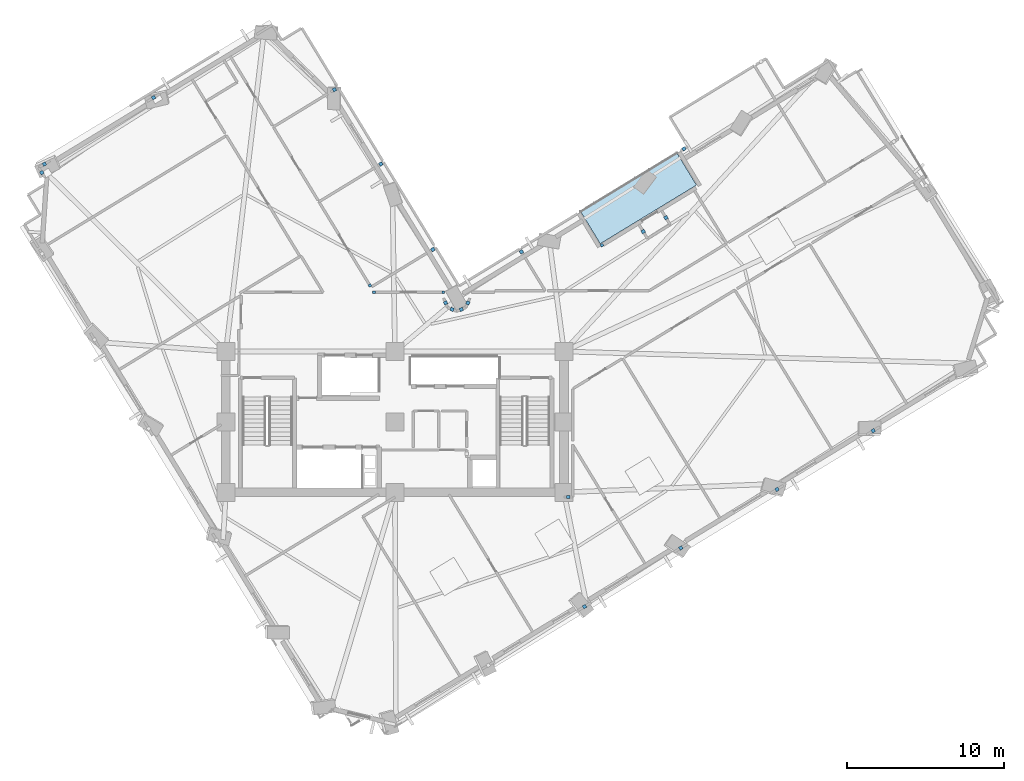
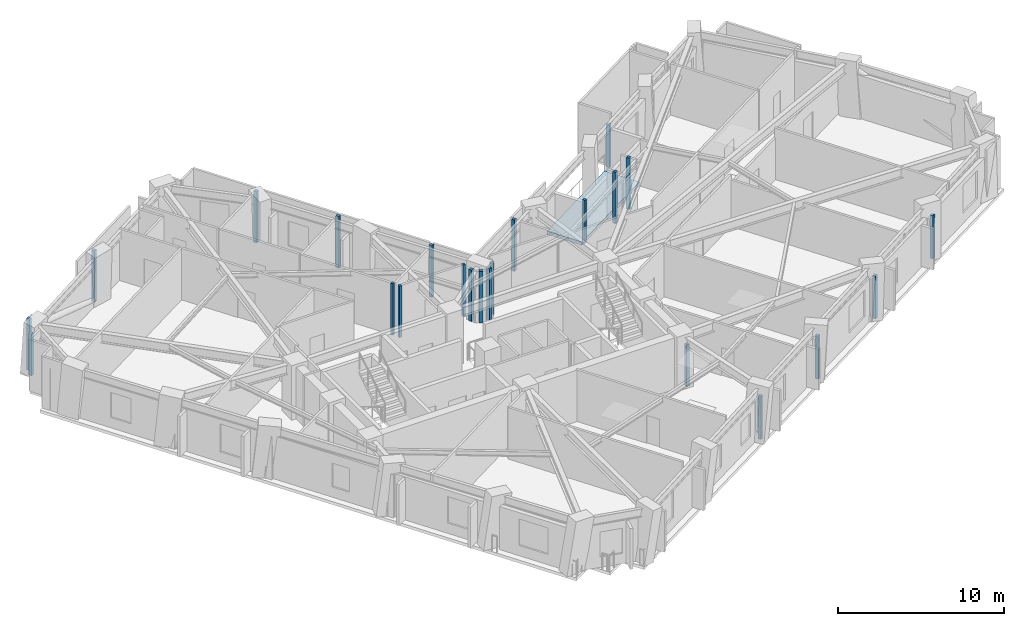
# One storey, part 3 of 14: 23 plates, 1 slab.
"""IFC4 building model written with IfcOpenShell, lengths in metres."""

from ifc_helpers import new_model, si_unit, direction, frame, origin, origin_2d, place, context, subcontext, project, spatial, polyline, rectangle, outline, extrude, material, layer, layer_set, type_object, element, save


model = new_model("IFC4")

# Units and contexts
model_context = context("Model", 3, precision=1e-05, world=origin(), true_north=direction((0.0, 1.0)))
body_context = subcontext(model_context, "Body", "Model", "MODEL_VIEW")
ifc_project = project(units=[si_unit("LENGTHUNIT", "METRE"), si_unit("AREAUNIT", "SQUARE_METRE"), si_unit("VOLUMEUNIT", "CUBIC_METRE"), si_unit("PLANEANGLEUNIT", "RADIAN"), si_unit("MASSUNIT", "GRAM", prefix="KILO")], contexts=[model_context])

# Site, building, storey
site_placement = place(None, origin())
site = spatial("IfcSite", under=ifc_project, at=site_placement, CompositionType="ELEMENT")
building_placement = place(site_placement, origin())
building = spatial("IfcBuilding", under=site, at=building_placement, Name="Gaonmaruhae Medical Tower", CompositionType="ELEMENT")
storey_placement = place(building_placement, frame((0.0, 0.0, 157.800048828125)))
storey = spatial("IfcBuildingStorey", under=building, at=storey_placement, Name="L37", CompositionType="ELEMENT", Elevation=157.800048828125)

# Plates
ifc_material_1 = material(Name="Anodised aluminium 6063-T6", Category="aluminium")
ifc_layer_1 = layer(ifc_material_1, 0.011962890625)
ifc_layer_set_1 = layer_set([ifc_layer_1], Name="Anodised aluminium 6063-T6")
plate_type = type_object("IfcPlateType", Name="PP-01 Interior Partition Corner Stiffener Plate", PredefinedType="SHEET", material=ifc_layer_set_1)
plate_1_placement = place(storey_placement, frame((38.0244140625, 23.58447265625, 0.0), z_axis=(0.0, 0.0, 1.0), x_axis=(0.854005138885, 0.520264569962, 0.0)))
element("IfcPlate", 1, at=plate_1_placement, inside=storey, type_object=plate_type, Name="L37 Partition End Jamb Post Plate PLT-L37-ENDP-TERB-0", PredefinedType="SHEET", context=body_context, shape_type="SweptSolid", body=[
    extrude(rectangle(XDim=0.179931640625, YDim=0.179931640625, at=origin_2d()), origin(), (0.0, 0.0, 1.0), 3.1650390625),
])
for number, where, z_axis, x_axis, name in (
    (2, (27.888916015625, 20.5791015625, 0.0), (0.0, 0.0, 1.0), (-0.99999997426, 0.000226892801, 0.0), "L37 Partition End Jamb Post Plate PLT-L37-ENDP-PW064-0"),
    (3, (23.4560546875, 20.580078125, 0.0), (0.0, 0.0, 1.0), (-0.99999997426, 0.000226892801, 0.0), "L37 Partition End Jamb Post Plate PLT-L37-ENDP-PW064-1"),
    (4, (23.19970703125, 21.0166015625, 0.0), (0.0, 0.0, 1.0), (-0.520219853644, 0.854032378704, 0.0), "L37 Partition End Jamb Post Plate PLT-L37-ENDP-PW090-0"),
):
    element("IfcPlate", number, at=place(storey_placement, frame(where, z_axis=z_axis, x_axis=x_axis)), inside=storey, type_object=plate_type, Name=name, PredefinedType="SHEET", context=body_context, shape_type="SweptSolid", body=[
        extrude(rectangle(XDim=0.179931640625, YDim=0.179931640625, at=origin_2d()), origin(), (0.0, 0.0, 1.0), 3.780029296875),
    ])
plate_2_placement = place(storey_placement, frame((36.9140625, 0.49560546875, 0.0), z_axis=(0.0, 0.0, 1.0), x_axis=(-0.854141314563, -0.520040974113, 0.0)))
element("IfcPlate", 5, at=plate_2_placement, inside=storey, type_object=plate_type, Name="L37 Partition Corner Stiffener Plate PLT-L37-JGP-PW013", PredefinedType="SHEET", context=body_context, shape_type="SweptSolid", body=[
    extrude(rectangle(XDim=0.219970703125, YDim=0.219970703125, at=origin_2d()), origin(), (0.0, 0.0, 1.0), 3.1650390625),
])
plate_3_placement = place(storey_placement, frame((35.875, 7.5, 0.0), z_axis=(0.0, 0.0, 1.0), x_axis=(1.0, 0.0, 0.0)))
element("IfcPlate", 6, at=plate_3_placement, inside=storey, type_object=plate_type, Name="L37 Partition Corner Stiffener Plate PLT-L37-JGP-PW014", PredefinedType="SHEET", context=body_context, shape_type="SweptSolid", body=[
    extrude(rectangle(XDim=0.219970703125, YDim=0.219970703125, at=origin_2d()), origin(), (0.0, 0.0, 1.0), 3.06494140625),
])
for number, where, z_axis, x_axis, name in (
    (7, (43.06201171875, 4.240966796875, 0.0), (0.0, 0.0, 1.0), (-0.853732611941, -0.52071165467, 0.0), "L37 Partition Corner Stiffener Plate PLT-L37-JGP-PW017"),
    (8, (49.21044921875, 7.986572265625, 0.0), (0.0, 0.0, 1.0), (-0.85390523952, -0.520428517589, 0.0), "L37 Partition Corner Stiffener Plate PLT-L37-JGP-PW022"),
    (9, (55.3583984375, 11.732421875, 0.0), (0.0, 0.0, 1.0), (-0.853659898556, -0.520830853154, 0.0), "L37 Partition Corner Stiffener Plate PLT-L37-JGP-PW025"),
):
    element("IfcPlate", number, at=place(storey_placement, frame(where, z_axis=z_axis, x_axis=x_axis)), inside=storey, type_object=plate_type, Name=name, PredefinedType="SHEET", context=body_context, shape_type="SweptSolid", body=[
        extrude(rectangle(XDim=0.219970703125, YDim=0.219970703125, at=origin_2d()), origin(), (0.0, 0.0, 1.0), 3.1650390625),
    ])
plate_4_placement = place(storey_placement, frame((2.237060546875, 28.228515625, 0.0), z_axis=(0.0, 0.0, 1.0), x_axis=(-0.519772612046, 0.854304648101, 0.0)))
element("IfcPlate", 10, at=plate_4_placement, inside=storey, type_object=plate_type, Name="L37 Partition Corner Stiffener Plate PLT-L37-JGP-PW049", PredefinedType="SHEET", context=body_context, shape_type="SweptSolid", body=[
    extrude(rectangle(XDim=0.219970703125, YDim=0.219970703125, at=origin_2d()), origin(), (0.0, 0.0, 1.0), 3.06494140625),
])
for number, where, z_axis, x_axis, name in (
    (11, (2.402099609375, 28.7685546875, 0.0), (0.0, 0.0, 1.0), (0.853805308681, 0.520592446035, 0.0), "L37 Partition Corner Stiffener Plate PLT-L37-JGP-PW050"),
    (12, (9.37841796875, 33.01806640625, 0.0), (0.0, 0.0, 1.0), (0.854241139521, 0.51987698117, 0.0), "L37 Partition Corner Stiffener Plate PLT-L37-JGP-PW051"),
    (13, (32.882080078125, 23.1708984375, 0.0), (0.0, 0.0, 1.0), (0.519220817836, -0.854640124453, 0.0), "L37 Partition Corner Stiffener Plate PLT-L37-JGP-PW056"),
    (14, (29.45849609375, 19.904541015625, 0.0), (0.0, 0.0, 1.0), (-0.384053613623, -0.923310793754, 0.0), "L37 Partition Corner Stiffener Plate PLT-L37-JGP-PW060"),
    (15, (29.04150390625, 19.487548828125, 0.0), (0.0, 0.0, 1.0), (-0.923310793754, -0.384053613623, 0.0), "L37 Partition Corner Stiffener Plate PLT-L37-JGP-PW061"),
    (16, (28.451904296875, 19.487548828125, 0.0), (0.0, 0.0, 1.0), (-0.923538533177, 0.383505642381, 0.0), "L37 Partition Corner Stiffener Plate PLT-L37-JGP-PW062"),
    (17, (28.034912109375, 19.904541015625, 0.0), (0.0, 0.0, 1.0), (-0.382715681611, 0.923866173777, 0.0), "L37 Partition Corner Stiffener Plate PLT-L37-JGP-PW063"),
    (18, (27.223388671875, 23.31591796875, 0.0), (0.0, 0.0, 1.0), (0.854023299024, 0.520234759242, 0.0), "L37 Partition Corner Stiffener Plate PLT-L37-JGP-PW066"),
    (19, (40.66259765625, 24.46240234375, 0.0), (0.0, 0.0, 1.0), (0.520339093988, -0.853959733985, 0.0), "L37 Partition Corner Stiffener Plate PLT-L37-JGP-PW069"),
    (20, (42.114501953125, 25.347412109375, 0.0), (0.0, 0.0, 1.0), (-0.520339093988, 0.853959733985, 0.0), "L37 Partition Corner Stiffener Plate PLT-L37-JGP-PW071"),
):
    element("IfcPlate", number, at=place(storey_placement, frame(where, z_axis=z_axis, x_axis=x_axis)), inside=storey, type_object=plate_type, Name=name, PredefinedType="SHEET", context=body_context, shape_type="SweptSolid", body=[
        extrude(rectangle(XDim=0.219970703125, YDim=0.219970703125, at=origin_2d()), origin(), (0.0, 0.0, 1.0), 3.780029296875),
    ])
plate_5_placement = place(storey_placement, frame((43.264404296875, 29.7509765625, 0.0), z_axis=(0.0, 0.0, 1.0), x_axis=(0.854132238006, 0.520055881612, 0.0)))
element("IfcPlate", 21, at=plate_5_placement, inside=storey, type_object=plate_type, Name="L37 Partition Corner Stiffener Plate PLT-L37-JGP-PW076", PredefinedType="SHEET", context=body_context, shape_type="SweptSolid", body=[
    extrude(rectangle(XDim=0.219970703125, YDim=0.219970703125, at=origin_2d()), origin(), (0.0, 0.0, 1.0), 3.14501953125),
])
for number, where, z_axis, x_axis, name in (
    (22, (23.8994140625, 28.77294921875, 0.0), (0.0, 0.0, 1.0), (0.854023299024, 0.520234759242, 0.0), "L37 Partition Corner Stiffener Plate PLT-L37-JGP-PW092"),
    (23, (20.93701171875, 33.526611328125, 0.0), (0.0, 0.0, 1.0), (0.854095929175, 0.520115510024, 0.0), "L37 Partition Corner Stiffener Plate PLT-L37-JGP-PW096"),
):
    element("IfcPlate", number, at=place(storey_placement, frame(where, z_axis=z_axis, x_axis=x_axis)), inside=storey, type_object=plate_type, Name=name, PredefinedType="SHEET", context=body_context, shape_type="SweptSolid", body=[
        extrude(rectangle(XDim=0.219970703125, YDim=0.219970703125, at=origin_2d()), origin(), (0.0, 0.0, 1.0), 3.780029296875),
    ])

# Slab
ifc_material_2 = material(Name="Concrete C40/50", Category="concrete")
ifc_layer_2 = layer(ifc_material_2, 0.239990234375)
ifc_layer_set_2 = layer_set([ifc_layer_2], Name="Concrete C40/50")
slab_type = type_object("IfcSlabType", Name="TS-240 Sky Garden & Recovery Terrace Slab", PredefinedType="FLOOR", material=ifc_layer_set_2)
slab_placement = place(storey_placement, frame((0.0, 0.0, -0.239990234375)))
element("IfcSlab", 24, at=slab_placement, inside=storey, type_object=slab_type, Name="L37 Outdoor Recovery Terrace Slab", PredefinedType="FLOOR", context=body_context, shape_type="SweptSolid", body=[
    extrude(outline(polyline([(37.91748046875, 23.68310546875), (44.066162109375, 27.428955078125), (42.817626953125, 29.478759765625), (36.668701171875, 25.732666015625), (37.91748046875, 23.68310546875)])), origin(), (0.0, 0.0, 1.0), 0.239990234375),
])

save(model, "model.ifc")
